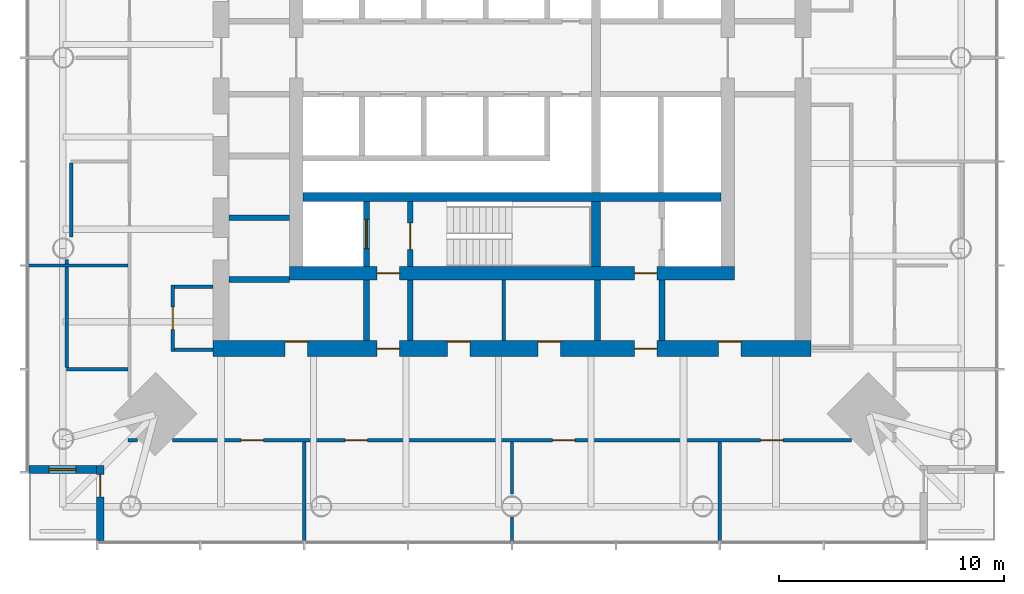
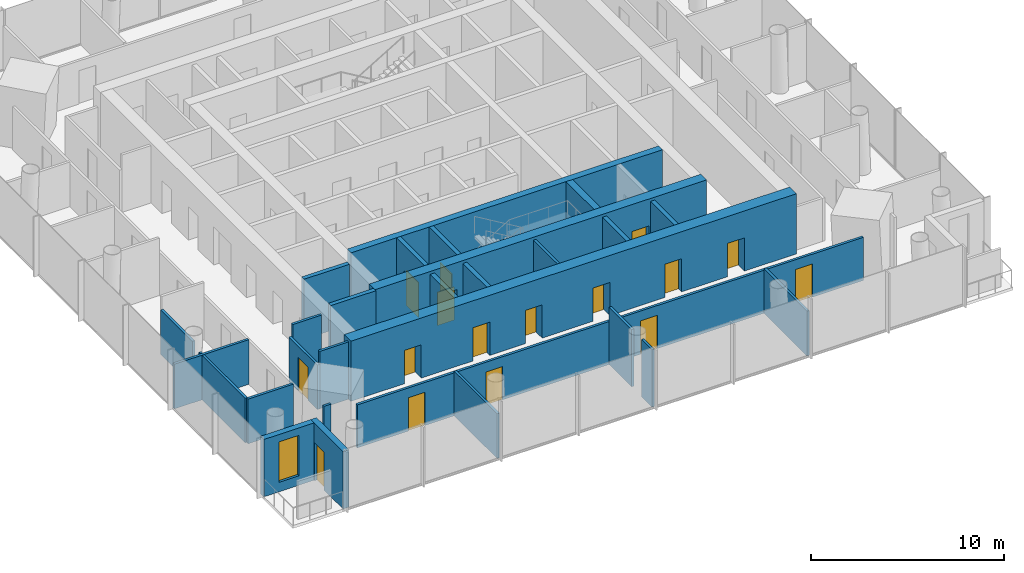
# One storey, part 4 of 9: 28 walls, 16 doors, 1 window, 17 openings.
"""IFC4 building model written with IfcOpenShell, lengths in metres."""

import ifcopenshell
import ifcopenshell.guid

model = None  # the IFC model being written
_history = None  # IfcOwnerHistory: only IFC2X3 demands one
_inside = {}  # id of a spatial element -> (the spatial element, [elements in it])
_under = {}  # id of a project, library or spatial element -> (it, [spatial elements below it])
_declared = {}  # id of a project -> (the project, [libraries it declares])
_typed = {}  # id of a type object -> (the type object, [elements of that type])
_made_of = {}  # id of a material, layer set ... -> (it, [elements and type objects made of it])


def new_model(schema):
    """Start an empty IFC model of exactly this schema.

    Asked for "IFC4X3", IfcOpenShell would pick the latest addendum, in which some entities
    have other attributes; the version numbers below select the first issue.
    IFC2X3 requires an IfcOwnerHistory on every rooted entity: one is made here for all.
    """
    global model, _history
    if schema == "IFC4X3":
        model = ifcopenshell.file(schema_version=(4, 3, 0, 0))
    else:
        model = ifcopenshell.file(schema=schema)
    _inside.clear()
    _under.clear()
    _declared.clear()
    _typed.clear()
    _made_of.clear()
    _history = None
    if model.schema == "IFC2X3":
        org = make("IfcOrganization", Name="unknown")
        user = make(
            "IfcPersonAndOrganization",
            ThePerson=make("IfcPerson", FamilyName="unknown"),
            TheOrganization=org,
        )
        app = make(
            "IfcApplication",
            ApplicationDeveloper=org,
            Version="unknown",
            ApplicationFullName="unknown",
            ApplicationIdentifier="unknown",
        )
        _history = make(
            "IfcOwnerHistory",
            OwningUser=user,
            OwningApplication=app,
            ChangeAction="ADDED",
            CreationDate=0,
        )
    return model


def make(cls, **values):
    """One entity of the class cls with the attributes given. An attribute that is None is left unset."""
    return model.create_entity(
        cls, **{name: value for name, value in values.items() if value is not None}
    )


def rooted(cls, **values):
    """An entity with a GlobalId (a new one), such as an element, a storey or a relation."""
    return make(cls, GlobalId=ifcopenshell.guid.new(), OwnerHistory=_history, **values)


def si_unit(unit_type, name, prefix=None):
    """IfcSIUnit, for example si_unit("LENGTHUNIT", "METRE", prefix="MILLI")."""
    return make("IfcSIUnit", UnitType=unit_type, Prefix=prefix, Name=name)


def assignment(units):
    """IfcUnitAssignment: the units of a project."""
    return None if units is None else make("IfcUnitAssignment", Units=units)


def point(xyz):
    """IfcCartesianPoint."""
    return None if xyz is None else make("IfcCartesianPoint", Coordinates=xyz)


def direction(xyz):
    """IfcDirection."""
    return None if xyz is None else make("IfcDirection", DirectionRatios=xyz)


def frame(location, z_axis=None, x_axis=None):
    """IfcAxis2Placement3D, a coordinate frame: its origin and axes. An axis left out is left unset."""
    return make(
        "IfcAxis2Placement3D",
        Location=point(location),
        Axis=direction(z_axis),
        RefDirection=direction(x_axis),
    )


def frame_2d(location, x_axis=None):
    """IfcAxis2Placement2D, a coordinate frame in the plane: its origin and x axis."""
    return make(
        "IfcAxis2Placement2D", Location=point(location), RefDirection=direction(x_axis)
    )


def origin():
    """The frame at (0, 0, 0) with its axes left unset."""
    return frame((0.0, 0.0, 0.0))


def place(relative_to, where):
    """IfcLocalPlacement: puts the frame where relative to a parent placement (None: the world)."""
    return make(
        "IfcLocalPlacement", PlacementRelTo=relative_to, RelativePlacement=where
    )


def context(
    kind, dimensions, precision=None, world=None, true_north=None, identifier=None
):
    """IfcGeometricRepresentationContext, for example the 3D "Model" context."""
    return make(
        "IfcGeometricRepresentationContext",
        ContextIdentifier=identifier,
        ContextType=kind,
        CoordinateSpaceDimension=dimensions,
        Precision=precision,
        WorldCoordinateSystem=world,
        TrueNorth=true_north,
    )


def subcontext(parent, identifier, kind, view, scale=None):
    """IfcGeometricRepresentationSubContext, for example "Body" below "Model"."""
    return make(
        "IfcGeometricRepresentationSubContext",
        ContextIdentifier=identifier,
        ContextType=kind,
        ParentContext=parent,
        TargetScale=scale,
        TargetView=view,
    )


def project(units=None, contexts=None):
    """IfcProject with its units and contexts."""
    return rooted(
        "IfcProject",
        Name="project",
        RepresentationContexts=contexts,
        UnitsInContext=assignment(units),
    )


def spatial(cls, under=None, at=None, **own):
    """A site, building, storey or space (cls), placed at a placement, below another one or the project."""
    s = rooted(cls, ObjectPlacement=at, **own)
    if under is not None:
        _under.setdefault(under.id(), (under, []))[1].append(s)
    return s


def profile(cls, at=None, kind="AREA", **sizes):
    """A parametric profile (cls). Its sizes go by their IFC names, for example OverallWidth=200.0."""
    return make(cls, ProfileType=kind, Position=at, **sizes)


def rectangle(**sizes):
    """IfcRectangleProfileDef."""
    return profile("IfcRectangleProfileDef", **sizes)


def extrude(swept, where, along, depth):
    """IfcExtrudedAreaSolid: the profile swept, set in the frame where, extruded along a direction by depth."""
    return make(
        "IfcExtrudedAreaSolid",
        SweptArea=swept,
        Position=where,
        ExtrudedDirection=direction(along),
        Depth=depth,
    )


def shape(context_of_items, identifier, shape_type, items):
    """IfcShapeRepresentation: the items that make up one representation, for example the "Body"."""
    return make(
        "IfcShapeRepresentation",
        ContextOfItems=context_of_items,
        RepresentationIdentifier=identifier,
        RepresentationType=shape_type,
        Items=items,
    )


def material(Name=None, Category=None):
    """IfcMaterial."""
    return make("IfcMaterial", Name=Name, Category=Category)


def layer(
    of_material, thickness, ventilated=None, Name=None, Category=None, Priority=None
):
    """IfcMaterialLayer: one layer of a wall or slab, of a material (None: an air gap)."""
    return make(
        "IfcMaterialLayer",
        Material=of_material,
        LayerThickness=thickness,
        IsVentilated=ventilated,
        Name=Name,
        Category=Category,
        Priority=Priority,
    )


def layer_set(layers, Name=None):
    """IfcMaterialLayerSet."""
    return make("IfcMaterialLayerSet", MaterialLayers=layers, LayerSetName=Name)


def made_of(thing, what):
    """Note that an element or type object is made of a material, layer set ...; save() writes the relation."""
    if what is not None:
        _made_of.setdefault(what.id(), (what, []))[1].append(thing)
    return thing


def type_object(cls, material=None, **own):
    """A type object (cls), such as IfcWallType, which elements share."""
    return made_of(rooted(cls, **own), material)


def element(
    cls,
    number,
    at=None,
    inside=None,
    cuts=None,
    type_object=None,
    material=None,
    context=None,
    identifier="Body",
    shape_type=None,
    held_by="IfcProductDefinitionShape",
    body=None,
    shapes=None,
    **own,
):
    """One element of the class cls, such as IfcWall. Its Tag is "e" and its number.

    at: its placement. inside: the storey or other place that contains it. cuts: it is an
    opening in that element (IfcRelVoidsElement). A single representation is given by context,
    identifier, shape_type and body (its items); several are given by shapes. held_by: the class
    of the entity that holds the representations. save() writes the other relations.
    """
    e = rooted(cls, Tag="e%d" % number, ObjectPlacement=at, **own)
    if body is not None:
        shapes = [shape(context, identifier, shape_type, body)]
    if shapes is not None:
        e.Representation = make(held_by, Representations=shapes)
    if inside is not None:
        _inside.setdefault(inside.id(), (inside, []))[1].append(e)
    if cuts is not None:
        rooted(
            "IfcRelVoidsElement", RelatingBuildingElement=cuts, RelatedOpeningElement=e
        )
    if type_object is not None:
        _typed.setdefault(type_object.id(), (type_object, []))[1].append(e)
    return made_of(e, material)


def fill(opening, filler):
    """IfcRelFillsElement: the door or window that sits in an opening."""
    return rooted(
        "IfcRelFillsElement",
        RelatingOpeningElement=opening,
        RelatedBuildingElement=filler,
    )


def aggregate(whole, parts):
    """IfcRelAggregates: a whole, such as a stair, and the parts it consists of."""
    return rooted("IfcRelAggregates", RelatingObject=whole, RelatedObjects=parts)


def save(model, path):
    """Write the relations noted so far, then the file.

    IfcRelAggregates (storeys below a building ...), IfcRelContainedInSpatialStructure (elements
    in a storey), IfcRelDefinesByType, IfcRelAssociatesMaterial and IfcRelDeclares: one each for
    every whole, place, type object, material and project.
    """
    for whole, parts in _under.values():
        aggregate(whole, parts)
    for where, things in _inside.values():
        rooted(
            "IfcRelContainedInSpatialStructure",
            RelatedElements=things,
            RelatingStructure=where,
        )
    for kind, things in _typed.values():
        rooted("IfcRelDefinesByType", RelatedObjects=things, RelatingType=kind)
    for what, things in _made_of.values():
        rooted("IfcRelAssociatesMaterial", RelatedObjects=things, RelatingMaterial=what)
    for by, libraries in _declared.values():
        rooted("IfcRelDeclares", RelatingContext=by, RelatedDefinitions=libraries)
    model.write(path)


model = new_model("IFC4")

# Units and contexts
model_context = context("Model", 3, precision=1e-05, world=origin(), true_north=direction((0.0, 1.0)))
body_context = subcontext(model_context, "Body", "Model", "MODEL_VIEW")
ifc_project = project(units=[si_unit("LENGTHUNIT", "METRE"), si_unit("AREAUNIT", "SQUARE_METRE"), si_unit("VOLUMEUNIT", "CUBIC_METRE"), si_unit("PLANEANGLEUNIT", "RADIAN"), si_unit("MASSUNIT", "GRAM", prefix="KILO")], contexts=[model_context])

# Site, building, storey
site_placement = place(None, origin())
site = spatial("IfcSite", under=ifc_project, at=site_placement, CompositionType="ELEMENT")
building_placement = place(site_placement, origin())
building = spatial("IfcBuilding", under=site, at=building_placement, Name="Ostroluk Exchange", CompositionType="ELEMENT")
storey_placement = place(building_placement, frame((0.0, 0.0, 146.39990234375)))
storey = spatial("IfcBuildingStorey", under=building, at=storey_placement, Name="L37", CompositionType="ELEMENT", Elevation=146.39990234375)

# Walls
ifc_material_1 = material(Name="Concrete blockwork", Category="masonry")
ifc_layer_1 = layer(ifc_material_1, 0.14990234375)
ifc_layer_set_1 = layer_set([ifc_layer_1], Name="Blockwork plant room wall 150")
wall_type_1 = type_object("IfcWallType", Name="Blockwork plant room wall 150", PredefinedType="SOLIDWALL", material=ifc_layer_set_1)
wall_1_placement = place(storey_placement, frame((44.639892578125, 33.39990234375, 0.0), z_axis=(0.0, 0.0, 1.0), x_axis=(0.0, 1.0, 0.0)))
element("IfcWall", 1, at=wall_1_placement, inside=storey, type_object=wall_type_1, Name="Core room wall", PredefinedType="SOLIDWALL", context=body_context, shape_type="SweptSolid", body=[
    extrude(rectangle(XDim=2.7001953125, YDim=0.14990234375, at=frame_2d((1.35009765625, 0.0))), origin(), (0.0, 0.0, 1.0), 3.6201171875),
])
ifc_material_2 = material(Name="Concrete blockwork", Category="masonry")
ifc_layer_2 = layer(ifc_material_2, 0.25)
ifc_layer_set_2 = layer_set([ifc_layer_2], Name="Blockwork stair enclosure wall 250")
wall_type_2 = type_object("IfcWallType", Name="Blockwork stair enclosure wall 250", PredefinedType="SOLIDWALL", material=ifc_layer_set_2)
for number, where, z_axis, x_axis, name in (
    (2, (38.52490234375, 33.39990234375, 0.0), (0.0, 0.0, 1.0), (0.0, 1.0, 0.0), "Fire lobby enclosure wall"),
    (3, (40.47509765625, 33.39990234375, 0.0), (0.0, 0.0, 1.0), (0.0, 1.0, 0.0), "Fire lobby enclosure wall"),
    (4, (48.804931640625, 33.39990234375, 0.0), (0.0, 0.0, 1.0), (0.0, 1.0, 0.0), "Service lobby enclosure wall"),
    (5, (51.675048828125, 33.39990234375, 0.0), (0.0, 0.0, 1.0), (0.0, 1.0, 0.0), "Service lobby enclosure wall"),
):
    element("IfcWall", number, at=place(storey_placement, frame(where, z_axis=z_axis, x_axis=x_axis)), inside=storey, type_object=wall_type_2, Name=name, PredefinedType="SOLIDWALL", context=body_context, shape_type="SweptSolid", body=[
        extrude(rectangle(XDim=2.7001953125, YDim=0.25, at=frame_2d((1.35009765625, 0.0))), origin(), (0.0, 0.0, 1.0), 3.6201171875),
    ])
ifc_material_3 = material(Name="Concrete C50/60", Category="concrete")
ifc_layer_3 = layer(ifc_material_3, 0.39990234375)
ifc_layer_set_3 = layer_set([ifc_layer_3], Name="Core cross wall 400 C50/60")
wall_type_3 = type_object("IfcWallType", Name="Core cross wall 400 C50/60", PredefinedType="SHEAR", material=ifc_layer_set_3)
wall_2_placement = place(storey_placement, frame((35.699951171875, 39.800048828125, 0.0), z_axis=(0.0, 0.0, 1.0), x_axis=(1.0, 0.0, 0.0)))
element("IfcWall", 6, at=wall_2_placement, inside=storey, type_object=wall_type_3, Name="T1 core wall XS", PredefinedType="SHEAR", context=body_context, shape_type="SweptSolid", body=[
    extrude(rectangle(XDim=18.60009765625, YDim=0.39990234375, at=frame_2d((9.300048828125, 0.0))), origin(), (0.0, 0.0, 1.0), 3.800048828125),
])
wall_3_placement = place(storey_placement, frame((48.72998046875, 36.699951171875, 0.0), z_axis=(0.0, 0.0, 1.0), x_axis=(0.0, 1.0, 0.0)))
element("IfcWall", 7, at=wall_3_placement, inside=storey, type_object=wall_type_3, Name="T1 core wall YE1", PredefinedType="SHEAR", context=body_context, shape_type="SweptSolid", body=[
    extrude(rectangle(XDim=2.900146484375, YDim=0.39990234375, at=frame_2d((1.4501953125, 0.0))), origin(), (0.0, 0.0, 1.0), 3.800048828125),
])

# Wall, opening, door
ifc_material_4 = material(Name="Concrete C40/50", Category="concrete")
ifc_layer_4 = layer(ifc_material_4, 0.25)
ifc_layer_set_4 = layer_set([ifc_layer_4], Name="Core shaft wall 250")
wall_type_4 = type_object("IfcWallType", Name="Core shaft wall 250", PredefinedType="SHEAR", material=ifc_layer_set_4)
wall_4_placement = place(storey_placement, frame((38.52490234375, 36.699951171875, 0.0), z_axis=(0.0, 0.0, 1.0), x_axis=(0.0, 1.0, 0.0)))
wall_4 = element("IfcWall", 8, at=wall_4_placement, inside=storey, type_object=wall_type_4, Name="Firefighting lift shaft wall", PredefinedType="SHEAR", context=body_context, shape_type="SweptSolid", body=[
    extrude(rectangle(XDim=2.900146484375, YDim=0.25, at=frame_2d((1.4501953125, 0.0))), origin(), (0.0, 0.0, 1.0), 3.800048828125),
])
opening_1_placement = place(wall_4_placement, frame((0.800048828125, 0.0, 0.0)))
opening_1 = element("IfcOpeningElement", 9, at=opening_1_placement, cuts=wall_4, Name="Opening LD2", PredefinedType="OPENING", context=body_context, shape_type="SweptSolid", body=[
    extrude(rectangle(XDim=1.300048828125, YDim=2.199951171875, at=frame_2d((0.64990234375, 1.10009765625))), frame((0.0, 0.135009765625, 0.0), z_axis=(0.0, -1.0, 0.0), x_axis=(1.0, 0.0, 0.0)), (0.0, 0.0, 1.0), 0.27001953125),
])
ifc_material_5 = material(Name="Stainless steel", Category="steel")
door_type_1 = type_object("IfcDoorType", Name="Lift landing door E 60 1300 x 2200", OperationType="DOUBLE_DOOR_SLIDING", PredefinedType="DOOR", material=ifc_material_5)
door_1_placement = place(opening_1_placement, origin())
door_1 = element("IfcDoor", 10, at=door_1_placement, inside=storey, type_object=door_type_1, Name="Lift FL1 landing door", OperationType="DOUBLE_DOOR_SLIDING", OverallHeight=2.199951171875, OverallWidth=1.300048828125, PredefinedType="DOOR", context=body_context, shape_type="SweptSolid", body=[
    extrude(rectangle(XDim=1.300048828125, YDim=2.199951171875, at=frame_2d((0.64990234375, 1.10009765625))), frame((0.0, 0.02490234375, 0.0), z_axis=(0.0, -1.0, 0.0), x_axis=(1.0, 0.0, 0.0)), (0.0, 0.0, 1.0), 0.050048828125),
])
fill(opening_1, door_1)

wall_5_placement = place(storey_placement, frame((40.47509765625, 36.699951171875, 0.0), z_axis=(0.0, 0.0, 1.0), x_axis=(0.0, 1.0, 0.0)))
wall_5 = element("IfcWall", 11, at=wall_5_placement, inside=storey, type_object=wall_type_4, Name="Stair shaft wall", PredefinedType="SHEAR", context=body_context, shape_type="SweptSolid", body=[
    extrude(rectangle(XDim=2.900146484375, YDim=0.25, at=frame_2d((1.4501953125, 0.0))), origin(), (0.0, 0.0, 1.0), 3.800048828125),
])
opening_2_placement = place(wall_5_placement, frame((0.75, 0.0, 0.0)))
opening_2 = element("IfcOpeningElement", 12, at=opening_2_placement, cuts=wall_5, Name="Opening FD60S", PredefinedType="OPENING", context=body_context, shape_type="SweptSolid", body=[
    extrude(rectangle(XDim=1.199951171875, YDim=2.10009765625, at=frame_2d((0.60009765625, 1.050048828125))), frame((0.0, 0.135009765625, 0.0), z_axis=(0.0, -1.0, 0.0), x_axis=(1.0, 0.0, 0.0)), (0.0, 0.0, 1.0), 0.27001953125),
])
ifc_material_6 = material(Name="Steel", Category="steel")
door_type_2 = type_object("IfcDoorType", Name="Stair door EI 60 1200 x 2100", OperationType="SINGLE_SWING_LEFT", PredefinedType="DOOR", material=ifc_material_6)
door_2_placement = place(opening_2_placement, origin())
door_2 = element("IfcDoor", 13, at=door_2_placement, inside=storey, type_object=door_type_2, Name="Stair T1-S1 door", OperationType="SINGLE_SWING_LEFT", OverallHeight=2.10009765625, OverallWidth=1.199951171875, PredefinedType="DOOR", context=body_context, shape_type="SweptSolid", body=[
    extrude(rectangle(XDim=1.199951171875, YDim=2.10009765625, at=frame_2d((0.60009765625, 1.050048828125))), frame((0.0, 0.02490234375, 0.0), z_axis=(0.0, -1.0, 0.0), x_axis=(1.0, 0.0, 0.0)), (0.0, 0.0, 1.0), 0.050048828125),
])
fill(opening_2, door_2)

# Walls
for number, where, z_axis, x_axis, name in (
    (14, (32.39990234375, 36.125, 0.0), (0.0, 0.0, 1.0), (1.0, 0.0, 0.0), "Lift shaft wall"),
    (15, (32.39990234375, 38.875, 0.0), (0.0, 0.0, 1.0), (1.0, 0.0, 0.0), "Lift shaft wall"),
):
    element("IfcWall", number, at=place(storey_placement, frame(where, z_axis=z_axis, x_axis=x_axis)), inside=storey, type_object=wall_type_4, Name=name, PredefinedType="SHEAR", context=body_context, shape_type="SweptSolid", body=[
        extrude(rectangle(XDim=2.7001953125, YDim=0.25, at=frame_2d((1.35009765625, 0.0))), origin(), (0.0, 0.0, 1.0), 3.800048828125),
    ])

# Wall, openings, doors
ifc_material_7 = material(Name="Concrete C50/60", Category="concrete")
ifc_layer_5 = layer(ifc_material_7, 0.60009765625)
ifc_layer_set_5 = layer_set([ifc_layer_5], Name="Core wall 600 C50/60")
wall_type_5 = type_object("IfcWallType", Name="Core wall 600 C50/60", PredefinedType="SHEAR", material=ifc_layer_set_5)
wall_6_placement = place(storey_placement, frame((35.10009765625, 36.39990234375, 0.0), z_axis=(0.0, 0.0, 1.0), x_axis=(1.0, 0.0, 0.0)))
wall_6 = element("IfcWall", 16, at=wall_6_placement, inside=storey, type_object=wall_type_5, Name="T1 core wall S", PredefinedType="SHEAR", context=body_context, shape_type="SweptSolid", body=[
    extrude(rectangle(XDim=19.7998046875, YDim=0.60009765625, at=frame_2d((9.89990234375, 0.0))), origin(), (0.0, 0.0, 1.0), 3.800048828125),
])
opening_3_placement = place(wall_6_placement, frame((3.89990234375, 0.0, 0.0)))
opening_3 = element("IfcOpeningElement", 17, at=opening_3_placement, cuts=wall_6, Name="Opening FD60", PredefinedType="OPENING", context=body_context, shape_type="SweptSolid", body=[
    extrude(rectangle(XDim=1.0, YDim=2.10009765625, at=frame_2d((0.5, 1.050048828125))), frame((0.0, 0.31005859375, 0.0), z_axis=(0.0, -1.0, 0.0), x_axis=(1.0, 0.0, 0.0)), (0.0, 0.0, 1.0), 0.6201171875),
])
opening_4_placement = place(wall_6_placement, frame((15.35009765625, 0.0, 0.0)))
opening_4 = element("IfcOpeningElement", 18, at=opening_4_placement, cuts=wall_6, Name="Opening FD60", PredefinedType="OPENING", context=body_context, shape_type="SweptSolid", body=[
    extrude(rectangle(XDim=1.0, YDim=2.10009765625, at=frame_2d((0.5, 1.050048828125))), frame((0.0, 0.31005859375, 0.0), z_axis=(0.0, -1.0, 0.0), x_axis=(1.0, 0.0, 0.0)), (0.0, 0.0, 1.0), 0.6201171875),
])
ifc_material_8 = material(Name="Steel", Category="steel")
door_type_3 = type_object("IfcDoorType", Name="Fire door EI 60 1000 x 2100", OperationType="SINGLE_SWING_LEFT", PredefinedType="DOOR", material=ifc_material_8)
door_3_placement = place(opening_3_placement, origin())
door_3 = element("IfcDoor", 19, at=door_3_placement, inside=storey, type_object=door_type_3, Name="Firefighting lobby door", OperationType="SINGLE_SWING_LEFT", OverallHeight=2.10009765625, OverallWidth=1.0, PredefinedType="DOOR", context=body_context, shape_type="SweptSolid", body=[
    extrude(rectangle(XDim=1.0, YDim=2.10009765625, at=frame_2d((0.5, 1.050048828125))), frame((0.0, 0.02490234375, 0.0), z_axis=(0.0, -1.0, 0.0), x_axis=(1.0, 0.0, 0.0)), (0.0, 0.0, 1.0), 0.050048828125),
])
fill(opening_3, door_3)
door_4_placement = place(opening_4_placement, origin())
door_4 = element("IfcDoor", 20, at=door_4_placement, inside=storey, type_object=door_type_3, Name="Service lobby door", OperationType="SINGLE_SWING_RIGHT", OverallHeight=2.10009765625, OverallWidth=1.0, PredefinedType="DOOR", context=body_context, shape_type="SweptSolid", body=[
    extrude(rectangle(XDim=1.0, YDim=2.10009765625, at=frame_2d((0.5, 1.050048828125))), frame((0.0, 0.02490234375, 0.0), z_axis=(0.0, -1.0, 0.0), x_axis=(1.0, 0.0, 0.0)), (0.0, 0.0, 1.0), 0.050048828125),
])
fill(opening_4, door_4)

ifc_material_9 = material(Name="Concrete C50/60", Category="concrete")
ifc_layer_6 = layer(ifc_material_9, 0.699951171875)
ifc_layer_set_6 = layer_set([ifc_layer_6], Name="Core wall 700 C50/60")
wall_type_6 = type_object("IfcWallType", Name="Core wall 700 C50/60", PredefinedType="SHEAR", material=ifc_layer_set_6)
wall_7_placement = place(storey_placement, frame((31.699951171875, 33.050048828125, 0.0), z_axis=(0.0, 0.0, 1.0), x_axis=(1.0, 0.0, 0.0)))
wall_7 = element("IfcWall", 21, at=wall_7_placement, inside=storey, type_object=wall_type_6, Name="T1 core wall RS", PredefinedType="SHEAR", context=body_context, shape_type="SweptSolid", body=[
    extrude(rectangle(XDim=26.60009765625, YDim=0.699951171875, at=frame_2d((13.300048828125, 0.0))), origin(), (0.0, 0.0, 1.0), 3.800048828125),
])
opening_5_placement = place(wall_7_placement, frame((7.300048828125, 0.0, 0.0)))
opening_5 = element("IfcOpeningElement", 22, at=opening_5_placement, cuts=wall_7, Name="Opening FD60", PredefinedType="OPENING", context=body_context, shape_type="SweptSolid", body=[
    extrude(rectangle(XDim=1.0, YDim=2.10009765625, at=frame_2d((0.5, 1.050048828125))), frame((0.0, 0.35986328125, 0.0), z_axis=(0.0, -1.0, 0.0), x_axis=(1.0, 0.0, 0.0)), (0.0, 0.0, 1.0), 0.719970703125),
])
opening_6_placement = place(wall_7_placement, frame((18.75, 0.0, 0.0)))
opening_6 = element("IfcOpeningElement", 23, at=opening_6_placement, cuts=wall_7, Name="Opening FD60", PredefinedType="OPENING", context=body_context, shape_type="SweptSolid", body=[
    extrude(rectangle(XDim=1.0, YDim=2.10009765625, at=frame_2d((0.5, 1.050048828125))), frame((0.0, 0.35986328125, 0.0), z_axis=(0.0, -1.0, 0.0), x_axis=(1.0, 0.0, 0.0)), (0.0, 0.0, 1.0), 0.719970703125),
])
opening_7_placement = place(wall_7_placement, frame((3.199951171875, 0.0, 0.0)))
opening_7 = element("IfcOpeningElement", 24, at=opening_7_placement, cuts=wall_7, Name="Opening FD60", PredefinedType="OPENING", context=body_context, shape_type="SweptSolid", body=[
    extrude(rectangle(XDim=1.0, YDim=2.10009765625, at=frame_2d((0.5, 1.050048828125))), frame((0.0, 0.35986328125, 0.0), z_axis=(0.0, -1.0, 0.0), x_axis=(1.0, 0.0, 0.0)), (0.0, 0.0, 1.0), 0.719970703125),
])
opening_8_placement = place(wall_7_placement, frame((10.419921875, 0.0, 0.0)))
opening_8 = element("IfcOpeningElement", 25, at=opening_8_placement, cuts=wall_7, Name="Opening FD60", PredefinedType="OPENING", context=body_context, shape_type="SweptSolid", body=[
    extrude(rectangle(XDim=1.0, YDim=2.10009765625, at=frame_2d((0.5, 1.050048828125))), frame((0.0, 0.35986328125, 0.0), z_axis=(0.0, -1.0, 0.0), x_axis=(1.0, 0.0, 0.0)), (0.0, 0.0, 1.0), 0.719970703125),
])
opening_9_placement = place(wall_7_placement, frame((14.4599609375, 0.0, 0.0)))
opening_9 = element("IfcOpeningElement", 26, at=opening_9_placement, cuts=wall_7, Name="Opening FD60", PredefinedType="OPENING", context=body_context, shape_type="SweptSolid", body=[
    extrude(rectangle(XDim=1.0, YDim=2.10009765625, at=frame_2d((0.5, 1.050048828125))), frame((0.0, 0.35986328125, 0.0), z_axis=(0.0, -1.0, 0.0), x_axis=(1.0, 0.0, 0.0)), (0.0, 0.0, 1.0), 0.719970703125),
])
opening_10_placement = place(wall_7_placement, frame((22.5, 0.0, 0.0)))
opening_10 = element("IfcOpeningElement", 27, at=opening_10_placement, cuts=wall_7, Name="Opening FD60", PredefinedType="OPENING", context=body_context, shape_type="SweptSolid", body=[
    extrude(rectangle(XDim=1.0, YDim=2.10009765625, at=frame_2d((0.5, 1.050048828125))), frame((0.0, 0.35986328125, 0.0), z_axis=(0.0, -1.0, 0.0), x_axis=(1.0, 0.0, 0.0)), (0.0, 0.0, 1.0), 0.719970703125),
])
door_5_placement = place(opening_5_placement, origin())
door_5 = element("IfcDoor", 28, at=door_5_placement, inside=storey, type_object=door_type_3, Name="Firefighting lobby door", OperationType="SINGLE_SWING_LEFT", OverallHeight=2.10009765625, OverallWidth=1.0, PredefinedType="DOOR", context=body_context, shape_type="SweptSolid", body=[
    extrude(rectangle(XDim=1.0, YDim=2.10009765625, at=frame_2d((0.5, 1.050048828125))), frame((0.0, 0.02490234375, 0.0), z_axis=(0.0, -1.0, 0.0), x_axis=(1.0, 0.0, 0.0)), (0.0, 0.0, 1.0), 0.050048828125),
])
fill(opening_5, door_5)
door_6_placement = place(opening_6_placement, origin())
door_6 = element("IfcDoor", 29, at=door_6_placement, inside=storey, type_object=door_type_3, Name="Service lobby door", OperationType="SINGLE_SWING_RIGHT", OverallHeight=2.10009765625, OverallWidth=1.0, PredefinedType="DOOR", context=body_context, shape_type="SweptSolid", body=[
    extrude(rectangle(XDim=1.0, YDim=2.10009765625, at=frame_2d((0.5, 1.050048828125))), frame((0.0, 0.02490234375, 0.0), z_axis=(0.0, -1.0, 0.0), x_axis=(1.0, 0.0, 0.0)), (0.0, 0.0, 1.0), 0.050048828125),
])
fill(opening_6, door_6)
door_7_placement = place(opening_7_placement, origin())
door_7 = element("IfcDoor", 30, at=door_7_placement, inside=storey, type_object=door_type_3, Name="Archive door", OperationType="SINGLE_SWING_LEFT", OverallHeight=2.10009765625, OverallWidth=1.0, PredefinedType="DOOR", context=body_context, shape_type="SweptSolid", body=[
    extrude(rectangle(XDim=1.0, YDim=2.10009765625, at=frame_2d((0.5, 1.050048828125))), frame((0.0, 0.33984375, 0.0), z_axis=(0.0, -1.0, 0.0), x_axis=(1.0, 0.0, 0.0)), (0.0, 0.0, 1.0), 0.050048828125),
])
fill(opening_7, door_7)
door_8_placement = place(opening_8_placement, origin())
door_8 = element("IfcDoor", 31, at=door_8_placement, inside=storey, type_object=door_type_3, Name="Tea point door", OperationType="SINGLE_SWING_LEFT", OverallHeight=2.10009765625, OverallWidth=1.0, PredefinedType="DOOR", context=body_context, shape_type="SweptSolid", body=[
    extrude(rectangle(XDim=1.0, YDim=2.10009765625, at=frame_2d((0.5, 1.050048828125))), frame((0.0, 0.33984375, 0.0), z_axis=(0.0, -1.0, 0.0), x_axis=(1.0, 0.0, 0.0)), (0.0, 0.0, 1.0), 0.050048828125),
])
fill(opening_8, door_8)
door_9_placement = place(opening_9_placement, origin())
door_9 = element("IfcDoor", 32, at=door_9_placement, inside=storey, type_object=door_type_3, Name="Print and post room door", OperationType="SINGLE_SWING_RIGHT", OverallHeight=2.10009765625, OverallWidth=1.0, PredefinedType="DOOR", context=body_context, shape_type="SweptSolid", body=[
    extrude(rectangle(XDim=1.0, YDim=2.10009765625, at=frame_2d((0.5, 1.050048828125))), frame((0.0, 0.33984375, 0.0), z_axis=(0.0, -1.0, 0.0), x_axis=(1.0, 0.0, 0.0)), (0.0, 0.0, 1.0), 0.050048828125),
])
fill(opening_9, door_9)
door_10_placement = place(opening_10_placement, origin())
door_10 = element("IfcDoor", 33, at=door_10_placement, inside=storey, type_object=door_type_3, Name="Tenant IT room door", OperationType="SINGLE_SWING_RIGHT", OverallHeight=2.10009765625, OverallWidth=1.0, PredefinedType="DOOR", context=body_context, shape_type="SweptSolid", body=[
    extrude(rectangle(XDim=1.0, YDim=2.10009765625, at=frame_2d((0.5, 1.050048828125))), frame((0.0, 0.33984375, 0.0), z_axis=(0.0, -1.0, 0.0), x_axis=(1.0, 0.0, 0.0)), (0.0, 0.0, 1.0), 0.050048828125),
])
fill(opening_10, door_10)

# Wall, opening, door
ifc_material_10 = material(Name="Limestone", Category="masonry")
ifc_layer_7 = layer(ifc_material_10, 0.35009765625)
ifc_layer_set_7 = layer_set([ifc_layer_7], Name="Limestone facade wall 350")
wall_type_7 = type_object("IfcWallType", Name="Limestone facade wall 350", PredefinedType="SOLIDWALL", material=ifc_layer_set_7)
wall_8_placement = place(storey_placement, frame((26.675048828125, 24.5, 0.0), z_axis=(0.0, 0.0, 1.0), x_axis=(0.0, 1.0, 0.0)))
wall_8 = element("IfcWall", 34, at=wall_8_placement, inside=storey, type_object=wall_type_7, Name="Office tower SW corner wall L37 a", PredefinedType="SOLIDWALL", context=body_context, shape_type="SweptSolid", body=[
    extrude(rectangle(XDim=3.35009765625, YDim=0.35009765625, at=frame_2d((1.675048828125, 0.0))), origin(), (0.0, 0.0, 1.0), 3.6201171875),
])
opening_11_placement = place(wall_8_placement, frame((1.949951171875, 0.0, 0.0)))
opening_11 = element("IfcOpeningElement", 35, at=opening_11_placement, cuts=wall_8, Name="Opening D-B1", PredefinedType="OPENING", context=body_context, shape_type="SweptSolid", body=[
    extrude(rectangle(XDim=1.0, YDim=2.39990234375, at=frame_2d((0.5, 1.199951171875))), frame((0.0, 0.18505859375, 0.0), z_axis=(0.0, -1.0, 0.0), x_axis=(1.0, 0.0, 0.0)), (0.0, 0.0, 1.0), 0.3701171875),
])
ifc_material_11 = material(Name="Bronze framed glazed door", Category="aluminium")
door_type_4 = type_object("IfcDoorType", Name="Balcony door 1000 x 2400", OperationType="SINGLE_SWING_LEFT", PredefinedType="DOOR", material=ifc_material_11)
door_11_placement = place(opening_11_placement, origin())
door_11 = element("IfcDoor", 36, at=door_11_placement, inside=storey, type_object=door_type_4, Name="Office tower SW balcony door L37", OperationType="SINGLE_SWING_RIGHT", OverallHeight=2.39990234375, OverallWidth=1.0, PredefinedType="DOOR", context=body_context, shape_type="SweptSolid", body=[
    extrude(rectangle(XDim=1.0, YDim=2.39990234375, at=frame_2d((0.5, 1.199951171875))), frame((0.0, 0.02490234375, 0.0), z_axis=(0.0, -1.0, 0.0), x_axis=(1.0, 0.0, 0.0)), (0.0, 0.0, 1.0), 0.050048828125),
])
fill(opening_11, door_11)

# Wall, opening, window
wall_9_placement = place(storey_placement, frame((26.5, 27.675048828125, 0.0), z_axis=(0.0, 0.0, 1.0), x_axis=(-1.0, 0.0, 0.0)))
wall_9 = element("IfcWall", 37, at=wall_9_placement, inside=storey, type_object=wall_type_7, Name="Office tower SW corner wall L37 b", PredefinedType="SOLIDWALL", context=body_context, shape_type="SweptSolid", body=[
    extrude(rectangle(XDim=3.0, YDim=0.35009765625, at=frame_2d((1.5, 0.0))), origin(), (0.0, 0.0, 1.0), 3.6201171875),
])
opening_12_placement = place(wall_9_placement, frame((0.89990234375, 0.0, 0.60009765625)))
opening_12 = element("IfcOpeningElement", 38, at=opening_12_placement, cuts=wall_9, Name="Opening WN-L1", PredefinedType="OPENING", context=body_context, shape_type="SweptSolid", body=[
    extrude(rectangle(XDim=1.199951171875, YDim=2.550048828125, at=frame_2d((0.60009765625, 1.27490234375))), frame((0.0, 0.18505859375, 0.0), z_axis=(0.0, -1.0, 0.0), x_axis=(1.0, 0.0, 0.0)), (0.0, 0.0, 1.0), 0.3701171875),
])
ifc_material_12 = material(Name="Laminated clear glass", Category="glass")
window_type = type_object("IfcWindowType", Name="Lancet window 1200 x 2550", PartitioningType="SINGLE_PANEL", PredefinedType="WINDOW", material=ifc_material_12)
window_placement = place(opening_12_placement, origin())
window = element("IfcWindow", 39, at=window_placement, inside=storey, type_object=window_type, Name="Office tower SW lancet window L37", OverallHeight=2.550048828125, OverallWidth=1.199951171875, PartitioningType="SINGLE_PANEL", PredefinedType="WINDOW", context=body_context, shape_type="SweptSolid", body=[
    extrude(rectangle(XDim=1.199951171875, YDim=2.550048828125, at=frame_2d((0.60009765625, 1.27490234375))), frame((0.0, 0.030029296875, 0.0), z_axis=(0.0, -1.0, 0.0), x_axis=(1.0, 0.0, 0.0)), (0.0, 0.0, 1.0), 0.06005859375),
])
fill(opening_12, window)

# Wall, opening, door
ifc_material_13 = material(Name="Gypsum plasterboard partition", Category="gypsum")
ifc_layer_8 = layer(ifc_material_13, 0.14990234375)
ifc_layer_set_8 = layer_set([ifc_layer_8], Name="Plasterboard partition 150")
wall_type_8 = type_object("IfcWallType", Name="Plasterboard partition 150", PredefinedType="PARTITIONING", material=ifc_layer_set_8)
wall_10_placement = place(storey_placement, frame((29.89990234375, 35.875, 0.0), z_axis=(0.0, 0.0, 1.0), x_axis=(0.0, -1.0, 0.0)))
wall_10 = element("IfcWall", 40, at=wall_10_placement, inside=storey, type_object=wall_type_8, Name="Partition", PredefinedType="PARTITIONING", context=body_context, shape_type="SweptSolid", body=[
    extrude(rectangle(XDim=2.945068359375, YDim=0.14990234375, at=frame_2d((1.47265625, 0.0))), origin(), (0.0, 0.0, 1.0), 2.80615234375),
])
opening_13_placement = place(wall_10_placement, frame((0.972412109375, 0.0, 0.0)))
opening_13 = element("IfcOpeningElement", 41, at=opening_13_placement, cuts=wall_10, Name="Opening D-03", PredefinedType="OPENING", context=body_context, shape_type="SweptSolid", body=[
    extrude(rectangle(XDim=1.0, YDim=2.10009765625, at=frame_2d((0.5, 1.050048828125))), frame((0.0, 0.0849609375, 0.0), z_axis=(0.0, -1.0, 0.0), x_axis=(1.0, 0.0, 0.0)), (0.0, 0.0, 1.0), 0.169921875),
])
ifc_material_14 = material(Name="Timber", Category="wood")
door_type_5 = type_object("IfcDoorType", Name="Internal door 1000 x 2100", OperationType="SINGLE_SWING_LEFT", PredefinedType="DOOR", material=ifc_material_14)
door_12_placement = place(opening_13_placement, origin())
door_12 = element("IfcDoor", 42, at=door_12_placement, inside=storey, type_object=door_type_5, Name="Project room door", OperationType="SINGLE_SWING_LEFT", OverallHeight=2.10009765625, OverallWidth=1.0, PredefinedType="DOOR", context=body_context, shape_type="SweptSolid", body=[
    extrude(rectangle(XDim=1.0, YDim=2.10009765625, at=frame_2d((0.5, 1.050048828125))), frame((0.0, 0.02490234375, 0.0), z_axis=(0.0, -1.0, 0.0), x_axis=(1.0, 0.0, 0.0)), (0.0, 0.0, 1.0), 0.050048828125),
])
fill(opening_13, door_12)

# Walls
for number, where, z_axis, x_axis, name in (
    (43, (31.699951171875, 35.800048828125, 0.0), (0.0, 0.0, 1.0), (-1.0, 0.0, 0.0), "Partition"),
    (44, (31.699951171875, 33.0048828125, 0.0), (0.0, 0.0, 1.0), (-1.0, 0.0, 0.0), "Partition"),
):
    element("IfcWall", number, at=place(storey_placement, frame(where, z_axis=z_axis, x_axis=x_axis)), inside=storey, type_object=wall_type_8, Name=name, PredefinedType="PARTITIONING", context=body_context, shape_type="SweptSolid", body=[
        extrude(rectangle(XDim=1.724853515625, YDim=0.14990234375, at=frame_2d((0.8623046875, 0.0))), origin(), (0.0, 0.0, 1.0), 3.6201171875),
    ])
wall_11_placement = place(storey_placement, frame((27.89990234375, 36.75, 0.0), z_axis=(0.0, 0.0, 1.0), x_axis=(-1.0, 0.0, 0.0)))
element("IfcWall", 45, at=wall_11_placement, inside=storey, type_object=wall_type_8, Name="Partition", PredefinedType="PARTITIONING", context=body_context, shape_type="SweptSolid", body=[
    extrude(rectangle(XDim=4.43994140625, YDim=0.14990234375, at=frame_2d((2.219970703125, 0.0))), origin(), (0.0, 0.0, 1.0), 2.820068359375),
])
wall_12_placement = place(storey_placement, frame((27.89990234375, 32.125, 0.0), z_axis=(0.0, 0.0, 1.0), x_axis=(-1.0, 0.0, 0.0)))
element("IfcWall", 46, at=wall_12_placement, inside=storey, type_object=wall_type_8, Name="Partition", PredefinedType="PARTITIONING", context=body_context, shape_type="SweptSolid", body=[
    extrude(rectangle(XDim=2.724853515625, YDim=0.14990234375, at=frame_2d((1.3623046875, 0.0))), origin(), (0.0, 0.0, 1.0), 2.820068359375),
])
wall_13_placement = place(storey_placement, frame((27.89990234375, 28.97509765625, 0.0), z_axis=(0.0, 0.0, 1.0), x_axis=(1.0, 0.0, 0.0)))
element("IfcWall", 47, at=wall_13_placement, inside=storey, type_object=wall_type_8, Name="Partition", PredefinedType="PARTITIONING", context=body_context, shape_type="SweptSolid", body=[
    extrude(rectangle(XDim=0.426025390625, YDim=0.14990234375, at=frame_2d((0.212890625, 0.0))), origin(), (0.0, 0.0, 1.0), 3.320068359375),
])

# Wall, openings, doors
wall_14_placement = place(storey_placement, frame((29.888427734375, 28.97509765625, 0.0), z_axis=(0.0, 0.0, 1.0), x_axis=(1.0, 0.0, 0.0)))
wall_14 = element("IfcWall", 48, at=wall_14_placement, inside=storey, type_object=wall_type_8, Name="Partition", PredefinedType="PARTITIONING", context=body_context, shape_type="SweptSolid", body=[
    extrude(rectangle(XDim=30.22314453125, YDim=0.14990234375, at=frame_2d((15.111572265625, 0.0))), origin(), (0.0, 0.0, 1.0), 2.72021484375),
])
opening_14_placement = place(wall_14_placement, frame((3.049072265625, 0.0, 0.0)))
opening_14 = element("IfcOpeningElement", 49, at=opening_14_placement, cuts=wall_14, Name="Opening D-03", PredefinedType="OPENING", context=body_context, shape_type="SweptSolid", body=[
    extrude(rectangle(XDim=1.0, YDim=2.10009765625, at=frame_2d((0.5, 1.050048828125))), frame((0.0, 0.0849609375, 0.0), z_axis=(0.0, -1.0, 0.0), x_axis=(1.0, 0.0, 0.0)), (0.0, 0.0, 1.0), 0.169921875),
])
opening_15_placement = place(wall_14_placement, frame((7.674072265625, 0.0, 0.0)))
opening_15 = element("IfcOpeningElement", 50, at=opening_15_placement, cuts=wall_14, Name="Opening D-03", PredefinedType="OPENING", context=body_context, shape_type="SweptSolid", body=[
    extrude(rectangle(XDim=1.0, YDim=2.10009765625, at=frame_2d((0.5, 1.050048828125))), frame((0.0, 0.0849609375, 0.0), z_axis=(0.0, -1.0, 0.0), x_axis=(1.0, 0.0, 0.0)), (0.0, 0.0, 1.0), 0.169921875),
])
opening_16_placement = place(wall_14_placement, frame((16.924072265625, 0.0, 0.0)))
opening_16 = element("IfcOpeningElement", 51, at=opening_16_placement, cuts=wall_14, Name="Opening D-03", PredefinedType="OPENING", context=body_context, shape_type="SweptSolid", body=[
    extrude(rectangle(XDim=1.0, YDim=2.10009765625, at=frame_2d((0.5, 1.050048828125))), frame((0.0, 0.0849609375, 0.0), z_axis=(0.0, -1.0, 0.0), x_axis=(1.0, 0.0, 0.0)), (0.0, 0.0, 1.0), 0.169921875),
])
opening_17_placement = place(wall_14_placement, frame((26.174072265625, 0.0, 0.0)))
opening_17 = element("IfcOpeningElement", 52, at=opening_17_placement, cuts=wall_14, Name="Opening D-03", PredefinedType="OPENING", context=body_context, shape_type="SweptSolid", body=[
    extrude(rectangle(XDim=1.0, YDim=2.10009765625, at=frame_2d((0.5, 1.050048828125))), frame((0.0, 0.0849609375, 0.0), z_axis=(0.0, -1.0, 0.0), x_axis=(1.0, 0.0, 0.0)), (0.0, 0.0, 1.0), 0.169921875),
])
door_13_placement = place(opening_14_placement, origin())
door_13 = element("IfcDoor", 53, at=door_13_placement, inside=storey, type_object=door_type_5, Name="Office suite door", OperationType="SINGLE_SWING_LEFT", OverallHeight=2.10009765625, OverallWidth=1.0, PredefinedType="DOOR", context=body_context, shape_type="SweptSolid", body=[
    extrude(rectangle(XDim=1.0, YDim=2.10009765625, at=frame_2d((0.5, 1.050048828125))), frame((0.0, 0.02490234375, 0.0), z_axis=(0.0, -1.0, 0.0), x_axis=(1.0, 0.0, 0.0)), (0.0, 0.0, 1.0), 0.050048828125),
])
fill(opening_14, door_13)
door_14_placement = place(opening_15_placement, origin())
door_14 = element("IfcDoor", 54, at=door_14_placement, inside=storey, type_object=door_type_5, Name="Office door", OperationType="SINGLE_SWING_LEFT", OverallHeight=2.10009765625, OverallWidth=1.0, PredefinedType="DOOR", context=body_context, shape_type="SweptSolid", body=[
    extrude(rectangle(XDim=1.0, YDim=2.10009765625, at=frame_2d((0.5, 1.050048828125))), frame((0.0, 0.02490234375, 0.0), z_axis=(0.0, -1.0, 0.0), x_axis=(1.0, 0.0, 0.0)), (0.0, 0.0, 1.0), 0.050048828125),
])
fill(opening_15, door_14)
door_15_placement = place(opening_16_placement, origin())
door_15 = element("IfcDoor", 55, at=door_15_placement, inside=storey, type_object=door_type_5, Name="Office door", OperationType="SINGLE_SWING_RIGHT", OverallHeight=2.10009765625, OverallWidth=1.0, PredefinedType="DOOR", context=body_context, shape_type="SweptSolid", body=[
    extrude(rectangle(XDim=1.0, YDim=2.10009765625, at=frame_2d((0.5, 1.050048828125))), frame((0.0, 0.02490234375, 0.0), z_axis=(0.0, -1.0, 0.0), x_axis=(1.0, 0.0, 0.0)), (0.0, 0.0, 1.0), 0.050048828125),
])
fill(opening_16, door_15)
door_16_placement = place(opening_17_placement, origin())
door_16 = element("IfcDoor", 56, at=door_16_placement, inside=storey, type_object=door_type_5, Name="Office door", OperationType="SINGLE_SWING_RIGHT", OverallHeight=2.10009765625, OverallWidth=1.0, PredefinedType="DOOR", context=body_context, shape_type="SweptSolid", body=[
    extrude(rectangle(XDim=1.0, YDim=2.10009765625, at=frame_2d((0.5, 1.050048828125))), frame((0.0, 0.02490234375, 0.0), z_axis=(0.0, -1.0, 0.0), x_axis=(1.0, 0.0, 0.0)), (0.0, 0.0, 1.0), 0.050048828125),
])
fill(opening_17, door_16)

# Walls
wall_15_placement = place(storey_placement, frame((35.75, 28.89990234375, 0.0), z_axis=(0.0, 0.0, 1.0), x_axis=(0.0, -1.0, 0.0)))
element("IfcWall", 57, at=wall_15_placement, inside=storey, type_object=wall_type_8, Name="Partition", PredefinedType="PARTITIONING", context=body_context, shape_type="SweptSolid", body=[
    extrude(rectangle(XDim=4.43994140625, YDim=0.14990234375, at=frame_2d((2.219970703125, 0.0))), origin(), (0.0, 0.0, 1.0), 2.820068359375),
])
wall_16_placement = place(storey_placement, frame((45.0, 28.89990234375, 0.0), z_axis=(0.0, 0.0, 1.0), x_axis=(0.0, -1.0, 0.0)))
element("IfcWall", 58, at=wall_16_placement, inside=storey, type_object=wall_type_8, Name="Partition", PredefinedType="PARTITIONING", context=body_context, shape_type="SweptSolid", body=[
    extrude(rectangle(XDim=2.314453125, YDim=0.14990234375, at=frame_2d((1.1572265625, 0.0))), origin(), (0.0, 0.0, 1.0), 3.6201171875),
])
wall_17_placement = place(storey_placement, frame((45.0, 25.550048828125, 0.0), z_axis=(0.0, 0.0, 1.0), x_axis=(0.0, -1.0, 0.0)))
element("IfcWall", 59, at=wall_17_placement, inside=storey, type_object=wall_type_8, Name="Partition", PredefinedType="PARTITIONING", context=body_context, shape_type="SweptSolid", body=[
    extrude(rectangle(XDim=1.090087890625, YDim=0.14990234375, at=frame_2d((0.544921875, 0.0))), origin(), (0.0, 0.0, 1.0), 3.6201171875),
])
wall_18_placement = place(storey_placement, frame((54.25, 28.89990234375, 0.0), z_axis=(0.0, 0.0, 1.0), x_axis=(0.0, -1.0, 0.0)))
element("IfcWall", 60, at=wall_18_placement, inside=storey, type_object=wall_type_8, Name="Partition", PredefinedType="PARTITIONING", context=body_context, shape_type="SweptSolid", body=[
    extrude(rectangle(XDim=4.43994140625, YDim=0.14990234375, at=frame_2d((2.219970703125, 0.0))), origin(), (0.0, 0.0, 1.0), 2.820068359375),
])
ifc_material_15 = material(Name="Gypsum plasterboard partition, moisture resistant", Category="gypsum")
ifc_layer_9 = layer(ifc_material_15, 0.14990234375)
ifc_layer_set_9 = layer_set([ifc_layer_9], Name="Plasterboard toilet partition 150")
wall_type_9 = type_object("IfcWallType", Name="Plasterboard toilet partition 150", PredefinedType="PARTITIONING", material=ifc_layer_set_9)
wall_19_placement = place(storey_placement, frame((25.375, 41.300048828125, 0.0), z_axis=(0.0, 0.0, 1.0), x_axis=(0.0, -1.0, 0.0)))
element("IfcWall", 61, at=wall_19_placement, inside=storey, type_object=wall_type_9, Name="Toilet partition", PredefinedType="PARTITIONING", context=body_context, shape_type="SweptSolid", body=[
    extrude(rectangle(XDim=3.27880859375, YDim=0.14990234375, at=frame_2d((1.639404296875, 0.0))), origin(), (0.0, 0.0, 1.0), 2.80615234375),
])
wall_20_placement = place(storey_placement, frame((25.175048828125, 37.0048828125, 0.0), z_axis=(0.0, 0.0, 1.0), x_axis=(0.0, -1.0, 0.0)))
element("IfcWall", 62, at=wall_20_placement, inside=storey, type_object=wall_type_9, Name="Toilet partition", PredefinedType="PARTITIONING", context=body_context, shape_type="SweptSolid", body=[
    extrude(rectangle(XDim=4.804931640625, YDim=0.14990234375, at=frame_2d((2.40234375, 0.0))), origin(), (0.0, 0.0, 1.0), 2.80615234375),
])

save(model, "model.ifc")
